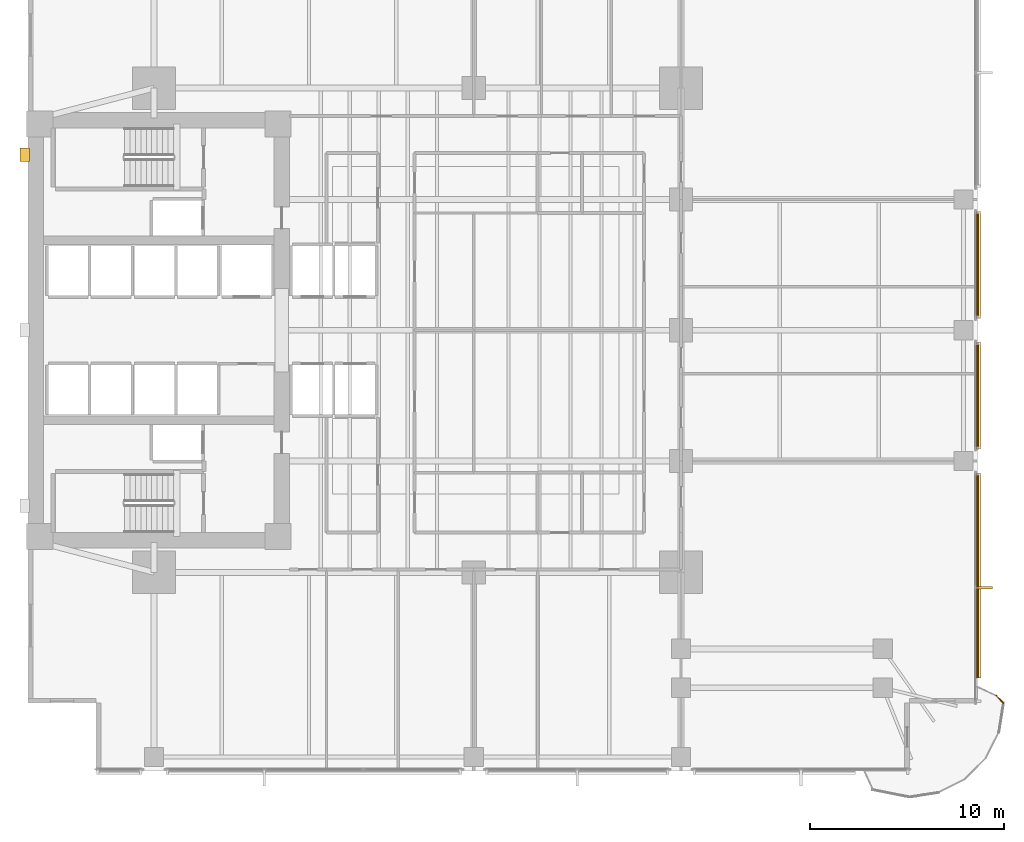
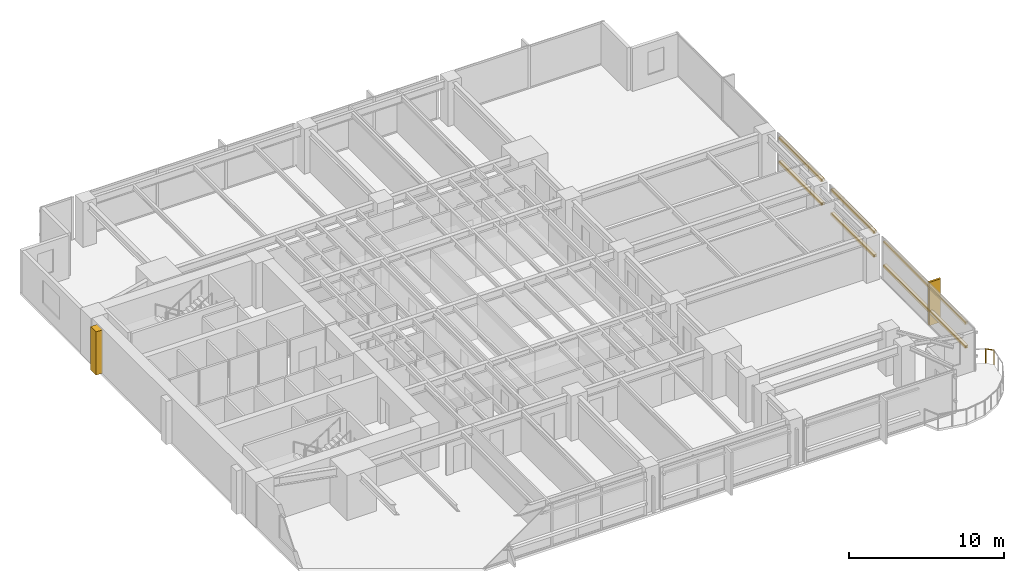
# One storey, part 14 of 16: 8 coverings, 6 shading devices, 1 railing.
"""IFC4 building model written with IfcOpenShell, lengths in metres."""

from ifc_helpers import new_model, si_unit, direction, frame, origin, origin_2d, place, context, subcontext, project, spatial, polyline, rectangle, circle, outline, extrude, material, layer, layer_set, material_profile, profile_set, type_object, element, save


model = new_model("IFC4")

# Units and contexts
model_context = context("Model", 3, precision=1e-05, world=origin(), true_north=direction((0.0, 1.0)))
body_context = subcontext(model_context, "Body", "Model", "MODEL_VIEW")
ifc_project = project(units=[si_unit("LENGTHUNIT", "METRE"), si_unit("AREAUNIT", "SQUARE_METRE"), si_unit("VOLUMEUNIT", "CUBIC_METRE"), si_unit("PLANEANGLEUNIT", "RADIAN"), si_unit("MASSUNIT", "GRAM", prefix="KILO")], contexts=[model_context])

# Site, building, storey
site_placement = place(None, origin())
site = spatial("IfcSite", under=ifc_project, at=site_placement, CompositionType="ELEMENT")
building_placement = place(site_placement, origin())
building = spatial("IfcBuilding", under=site, at=building_placement, Name="Kinhvarn Gate Tower", CompositionType="ELEMENT")
storey_placement = place(building_placement, frame((0.0, 0.0, 82.39990234375)))
storey = spatial("IfcBuildingStorey", under=building, at=storey_placement, Name="L21", CompositionType="ELEMENT", Elevation=82.39990234375)

# Coverings
ifc_material_1 = material(Name="Fired architectural terracotta", Category="masonry")
ifc_layer_1 = layer(ifc_material_1, 0.239990234375)
ifc_layer_set_1 = layer_set([ifc_layer_1], Name="Fired architectural terracotta")
covering_type_1 = type_object("IfcCoveringType", Name="COV-BAG-220", PredefinedType="CLADDING", material=ifc_layer_set_1)
for number, where, name in (
    (1, (0.0, 0.0, 0.940185546875), "Terracotta Horizontal Sunscreen Band TBG-220 (L21)"),
    (2, (0.0, 0.0, 2.81005859375), "Terracotta Horizontal Sunscreen Band TBG-220 (L21)"),
):
    element("IfcCovering", number, at=place(storey_placement, frame(where)), inside=storey, type_object=covering_type_1, Name=name, PredefinedType="CLADDING", context=body_context, shape_type="SweptSolid", body=[
        extrude(outline(polyline([(53.43994140625, 7.301025390625), (53.43994140625, 17.8798828125), (53.679931640625, 17.8798828125), (53.679931640625, 7.301025390625), (53.43994140625, 7.301025390625)])), origin(), (0.0, 0.0, 1.0), 0.219970703125),
    ])
for number, where, name in (
    (3, (0.0, 0.0, 0.940185546875), "Terracotta Horizontal Sunscreen Band TBG-220 (L21)"),
    (4, (0.0, 0.0, 2.81005859375), "Terracotta Horizontal Sunscreen Band TBG-220 (L21)"),
):
    element("IfcCovering", number, at=place(storey_placement, frame(where)), inside=storey, type_object=covering_type_1, Name=name, PredefinedType="CLADDING", context=body_context, shape_type="SweptSolid", body=[
        extrude(outline(polyline([(53.43994140625, 19.1201171875), (53.43994140625, 24.6298828125), (53.679931640625, 24.6298828125), (53.679931640625, 19.1201171875), (53.43994140625, 19.1201171875)])), origin(), (0.0, 0.0, 1.0), 0.219970703125),
    ])
for number, where, name in (
    (5, (0.0, 0.0, 0.940185546875), "Terracotta Horizontal Sunscreen Band TBG-220 (L21)"),
    (6, (0.0, 0.0, 2.81005859375), "Terracotta Horizontal Sunscreen Band TBG-220 (L21)"),
):
    element("IfcCovering", number, at=place(storey_placement, frame(where)), inside=storey, type_object=covering_type_1, Name=name, PredefinedType="CLADDING", context=body_context, shape_type="SweptSolid", body=[
        extrude(outline(polyline([(53.43994140625, 25.8701171875), (53.43994140625, 31.3798828125), (53.679931640625, 31.3798828125), (53.679931640625, 25.8701171875), (53.43994140625, 25.8701171875)])), origin(), (0.0, 0.0, 1.0), 0.219970703125),
    ])
ifc_layer_2 = layer(ifc_material_1, 0.139892578125)
ifc_layer_set_2 = layer_set([ifc_layer_2], Name="Fired architectural terracotta")
covering_type_2 = type_object("IfcCoveringType", Name="COV-FIN-850", PredefinedType="CLADDING", material=ifc_layer_set_2)
covering_1_placement = place(storey_placement, frame((0.0, 0.0, -0.02001953125)))
element("IfcCovering", 7, at=covering_1_placement, inside=storey, type_object=covering_type_2, Name="Vertical Terracotta Expressive Fin TFN-850 (L21)", PredefinedType="CLADDING", context=body_context, shape_type="SweptSolid", body=[
    extrude(outline(polyline([(53.429931640625, 11.889892578125), (53.429931640625, 12.030029296875), (54.280029296875, 12.030029296875), (54.280029296875, 11.889892578125), (53.429931640625, 11.889892578125)])), origin(), (0.0, 0.0, 1.0), 3.41015625),
])
ifc_material_2 = material(Name="Precast white architectural concrete C40/50", Category="concrete")
ifc_layer_3 = layer(ifc_material_2, 0.47998046875)
ifc_layer_set_3 = layer_set([ifc_layer_3], Name="Precast white architectural concrete C40/50")
covering_type_3 = type_object("IfcCoveringType", Name="COV-RIB-450", PredefinedType="CLADDING", material=ifc_layer_set_3)
covering_2_placement = place(storey_placement, frame((0.0, 0.0, -0.02001953125)))
element("IfcCovering", 8, at=covering_2_placement, inside=storey, type_object=covering_type_3, Name="West Core Sculptural Concrete Relief Rib CRB-450 (L21)", PredefinedType="CLADDING", context=body_context, shape_type="SweptSolid", body=[
    extrude(outline(polyline([(4.080078125, 33.949951171875), (4.56005859375, 33.949951171875), (4.56005859375, 34.64990234375), (4.080078125, 34.64990234375), (4.080078125, 33.949951171875)])), origin(), (0.0, 0.0, 1.0), 3.41015625),
])

# Railing
ifc_material_3 = material(Name="Clear low-e double glazing", Category="glass")
railing_type = type_object("IfcRailingType", Name="RL-BAL-1150", PredefinedType="BALUSTRADE", material=ifc_material_3)
railing_placement = place(storey_placement, frame((54.85009765625, 6.0, 0.0)))
element("IfcRailing", 9, at=railing_placement, inside=storey, type_object=railing_type, Name="S-Carve Balcony Guardrail Seg 8 (L21)", PredefinedType="BALUSTRADE", context=body_context, shape_type="SweptSolid", body=[
    extrude(circle(Radius=0.02392578125, at=origin_2d()), frame((0.0, 0.0, 1.1259765625), z_axis=(-0.686207159308, 0.727406168873, 0.0), x_axis=(-0.727406168873, -0.686207159308, 0.0)), (0.0, 0.0, 1.0), 0.551025390625),
    extrude(circle(Radius=0.02099609375, at=origin_2d()), origin(), (0.0, 0.0, 1.0), 1.101806640625),
    extrude(circle(Radius=0.02099609375, at=origin_2d()), frame((-0.378173828125, 0.40087890625, 0.0)), (0.0, 0.0, 1.0), 1.101806640625),
])

# Shading devices
ifc_material_profile = material_profile(ifc_material_1, rectangle(XDim=0.06005859375, YDim=0.139892578125, at=origin_2d()), Name="TC 60x140")
ifc_profile_set = profile_set([ifc_material_profile], Name="Fired architectural terracotta")
shading_device_type = type_object("IfcShadingDeviceType", Name="SHD-BAG-180", PredefinedType="USERDEFINED", material=ifc_profile_set)
for number, where, z_axis, x_axis, name in (
    (10, (53.514892578125, 7.301025390625, 1.050048828125), (0.0, 1.0, 0.0), (-1.0, 0.0, 0.0), "Fired Terracotta Baguette Screen Rod 60x140 mm (L21)"),
    (11, (53.514892578125, 7.301025390625, 2.920166015625), (0.0, 1.0, 0.0), (-1.0, 0.0, 0.0), "Fired Terracotta Baguette Screen Rod 60x140 mm (L21)"),
):
    element("IfcShadingDevice", number, at=place(storey_placement, frame(where, z_axis=z_axis, x_axis=x_axis)), inside=storey, type_object=shading_device_type, Name=name, ObjectType="BAGUETTE", PredefinedType="USERDEFINED", context=body_context, shape_type="SweptSolid", body=[
        extrude(rectangle(XDim=0.06005859375, YDim=0.139892578125, at=origin_2d()), origin(), (0.0, 0.0, 1.0), 10.578857421875),
    ])
for number, where, z_axis, x_axis, name in (
    (12, (53.514892578125, 19.1201171875, 1.050048828125), (0.0, 1.0, 0.0), (-1.0, 0.0, 0.0), "Fired Terracotta Baguette Screen Rod 60x140 mm (L21)"),
    (13, (53.514892578125, 19.1201171875, 2.920166015625), (0.0, 1.0, 0.0), (-1.0, 0.0, 0.0), "Fired Terracotta Baguette Screen Rod 60x140 mm (L21)"),
    (14, (53.514892578125, 25.8701171875, 1.050048828125), (0.0, 1.0, 0.0), (-1.0, 0.0, 0.0), "Fired Terracotta Baguette Screen Rod 60x140 mm (L21)"),
    (15, (53.514892578125, 25.8701171875, 2.920166015625), (0.0, 1.0, 0.0), (-1.0, 0.0, 0.0), "Fired Terracotta Baguette Screen Rod 60x140 mm (L21)"),
):
    element("IfcShadingDevice", number, at=place(storey_placement, frame(where, z_axis=z_axis, x_axis=x_axis)), inside=storey, type_object=shading_device_type, Name=name, ObjectType="BAGUETTE", PredefinedType="USERDEFINED", context=body_context, shape_type="SweptSolid", body=[
        extrude(rectangle(XDim=0.06005859375, YDim=0.139892578125, at=origin_2d()), origin(), (0.0, 0.0, 1.0), 5.509765625),
    ])

save(model, "model.ifc")
